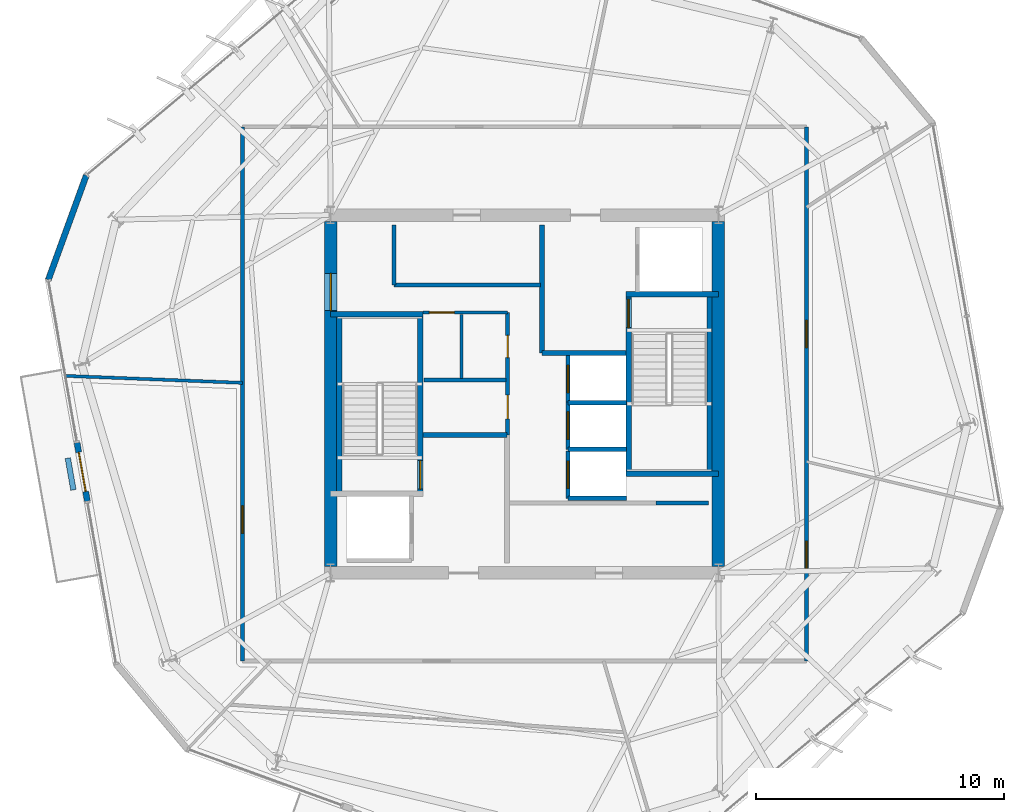
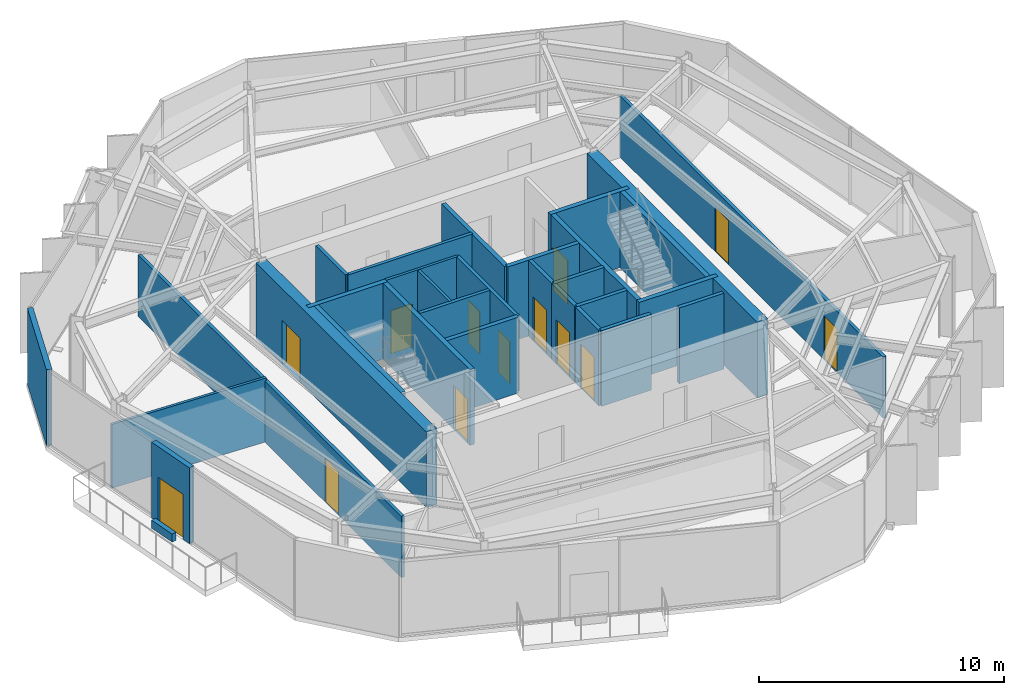
# One storey, part 7 of 11: 31 walls, 13 doors, 13 openings.
"""IFC4 building model written with IfcOpenShell, lengths in metres."""

from ifc_helpers import new_model, si_unit, direction, frame, frame_2d, origin, place, context, subcontext, project, spatial, rectangle, extrude, material, layer, layer_set, type_object, element, fill, save


model = new_model("IFC4")

# Units and contexts
model_context = context("Model", 3, precision=1e-05, world=origin(), true_north=direction((0.0, 1.0)))
body_context = subcontext(model_context, "Body", "Model", "MODEL_VIEW")
ifc_project = project(units=[si_unit("LENGTHUNIT", "METRE"), si_unit("AREAUNIT", "SQUARE_METRE"), si_unit("VOLUMEUNIT", "CUBIC_METRE"), si_unit("PLANEANGLEUNIT", "RADIAN"), si_unit("MASSUNIT", "GRAM", prefix="KILO")], contexts=[model_context])

# Site, building, storey
site_placement = place(None, origin())
site = spatial("IfcSite", under=ifc_project, at=site_placement, CompositionType="ELEMENT")
building_placement = place(site_placement, origin())
building = spatial("IfcBuilding", under=site, at=building_placement, Name="Kranzbogen Civic Tower", CompositionType="ELEMENT")
storey_placement = place(building_placement, frame((0.0, 0.0, 184.800048828125)))
storey = spatial("IfcBuildingStorey", under=building, at=storey_placement, Name="L44", CompositionType="ELEMENT", Elevation=184.800048828125)

# Walls
ifc_material_1 = material(Name="Double-Stud Acoustic Gypsum Partition")
ifc_layer_1 = layer(ifc_material_1, 0.14990234375, Name="Double-Stud Acoustic Gypsum Partition")
ifc_layer_set_1 = layer_set([ifc_layer_1], Name="Double-Stud Acoustic Gypsum Partition")
wall_type_1 = type_object("IfcWallType", Name="Acoustic Corridor and Clinical Partition 150 mm", PredefinedType="PARTITIONING", material=ifc_layer_set_1)
wall_1_placement = place(storey_placement, frame((19.75, 29.389892578125, 0.0), z_axis=(0.0, 0.0, 1.0), x_axis=(1.0, 0.0, 0.0)))
element("IfcWall", 1, at=wall_1_placement, inside=storey, type_object=wall_type_1, Name="L44 digital comms South wall", PredefinedType="PARTITIONING", context=body_context, shape_type="SweptSolid", body=[
    extrude(rectangle(XDim=5.89990234375, YDim=0.14990234375, at=frame_2d((2.949951171875, 0.0))), origin(), (0.0, 0.0, 1.0), 3.780029296875),
])
wall_2_placement = place(storey_placement, frame((19.75, 29.389892578125, 0.0), z_axis=(0.0, 0.0, 1.0), x_axis=(0.0, 1.0, 0.0)))
element("IfcWall", 2, at=wall_2_placement, inside=storey, type_object=wall_type_1, Name="L44 digital comms West wall", PredefinedType="PARTITIONING", context=body_context, shape_type="SweptSolid", body=[
    extrude(rectangle(XDim=2.41015625, YDim=0.14990234375, at=frame_2d((1.205078125, 0.0))), origin(), (0.0, 0.0, 1.0), 3.780029296875),
])

# Wall, openings, doors
wall_3_placement = place(storey_placement, frame((36.35009765625, 35.75, 0.0), z_axis=(0.0, 0.0, 1.0), x_axis=(0.0, -1.0, 0.0)))
wall_3 = element("IfcWall", 3, at=wall_3_placement, inside=storey, type_object=wall_type_1, Name="L44 corridor partition 02", PredefinedType="PARTITIONING", context=body_context, shape_type="SweptSolid", body=[
    extrude(rectangle(XDim=21.5, YDim=0.14990234375, at=frame_2d((10.75, 0.0))), origin(), (0.0, 0.0, 1.0), 3.050048828125),
])
opening_1_placement = place(wall_3_placement, frame((16.672119140625, 0.0, 0.0)))
opening_1 = element("IfcOpeningElement", 4, at=opening_1_placement, cuts=wall_3, Name="Opening D-COR60", PredefinedType="OPENING", context=body_context, shape_type="SweptSolid", body=[
    extrude(rectangle(XDim=1.10009765625, YDim=2.199951171875, at=frame_2d((0.550048828125, 1.10009765625))), frame((0.0, 0.0849609375, 0.0), z_axis=(0.0, -1.0, 0.0), x_axis=(1.0, 0.0, 0.0)), (0.0, 0.0, 1.0), 0.169921875),
])
opening_2_placement = place(wall_3_placement, frame((7.7880859375, 0.0, 0.0)))
opening_2 = element("IfcOpeningElement", 5, at=opening_2_placement, cuts=wall_3, Name="Opening D-COR60", PredefinedType="OPENING", context=body_context, shape_type="SweptSolid", body=[
    extrude(rectangle(XDim=1.10009765625, YDim=2.199951171875, at=frame_2d((0.550048828125, 1.10009765625))), frame((0.0, 0.0849609375, 0.0), z_axis=(0.0, -1.0, 0.0), x_axis=(1.0, 0.0, 0.0)), (0.0, 0.0, 1.0), 0.169921875),
])
ifc_material_2 = material(Name="Oak Timber and Fire Core", Category="wood")
door_type_1 = type_object("IfcDoorType", Name="Corridor Acoustic Fire Door 1100x2200", OperationType="NOTDEFINED", PredefinedType="DOOR", material=ifc_material_2)
door_1_placement = place(opening_1_placement, origin())
door_1 = element("IfcDoor", 6, at=door_1_placement, inside=storey, type_object=door_type_1, Name="L44 Operations Security Control Room door", OperationType="SINGLE_SWING_LEFT", OverallHeight=2.199951171875, OverallWidth=1.10009765625, PredefinedType="DOOR", context=body_context, shape_type="SweptSolid", body=[
    extrude(rectangle(XDim=1.10009765625, YDim=2.199951171875, at=frame_2d((0.550048828125, 1.10009765625))), frame((0.0, 0.02490234375, 0.0), z_axis=(0.0, -1.0, 0.0), x_axis=(1.0, 0.0, 0.0)), (0.0, 0.0, 1.0), 0.050048828125),
])
fill(opening_1, door_1)
door_2_placement = place(opening_2_placement, origin())
door_2 = element("IfcDoor", 7, at=door_2_placement, inside=storey, type_object=door_type_1, Name="L44 Central Mail Post Room door", OperationType="SINGLE_SWING_RIGHT", OverallHeight=2.199951171875, OverallWidth=1.10009765625, PredefinedType="DOOR", context=body_context, shape_type="SweptSolid", body=[
    extrude(rectangle(XDim=1.10009765625, YDim=2.199951171875, at=frame_2d((0.550048828125, 1.10009765625))), frame((0.0, 0.02490234375, 0.0), z_axis=(0.0, -1.0, 0.0), x_axis=(1.0, 0.0, 0.0)), (0.0, 0.0, 1.0), 0.050048828125),
])
fill(opening_2, door_2)

# Wall, opening, door
wall_4_placement = place(storey_placement, frame((13.64990234375, 14.25, 0.0), z_axis=(0.0, 0.0, 1.0), x_axis=(0.0, 1.0, 0.0)))
wall_4 = element("IfcWall", 8, at=wall_4_placement, inside=storey, type_object=wall_type_1, Name="L44 corridor partition 04", PredefinedType="PARTITIONING", context=body_context, shape_type="SweptSolid", body=[
    extrude(rectangle(XDim=21.5, YDim=0.14990234375, at=frame_2d((10.75, 0.0))), origin(), (0.0, 0.0, 1.0), 3.050048828125),
])
opening_3_placement = place(wall_4_placement, frame((5.14501953125, 0.0, 0.0)))
opening_3 = element("IfcOpeningElement", 9, at=opening_3_placement, cuts=wall_4, Name="Opening D-COR60", PredefinedType="OPENING", context=body_context, shape_type="SweptSolid", body=[
    extrude(rectangle(XDim=1.10009765625, YDim=2.199951171875, at=frame_2d((0.550048828125, 1.10009765625))), frame((0.0, 0.0849609375, 0.0), z_axis=(0.0, -1.0, 0.0), x_axis=(1.0, 0.0, 0.0)), (0.0, 0.0, 1.0), 0.169921875),
])
door_3_placement = place(opening_3_placement, origin())
door_3 = element("IfcDoor", 10, at=door_3_placement, inside=storey, type_object=door_type_1, Name="L44 Civic Reference Library door", OperationType="SINGLE_SWING_RIGHT", OverallHeight=2.199951171875, OverallWidth=1.10009765625, PredefinedType="DOOR", context=body_context, shape_type="SweptSolid", body=[
    extrude(rectangle(XDim=1.10009765625, YDim=2.199951171875, at=frame_2d((0.550048828125, 1.10009765625))), frame((0.0, 0.02490234375, 0.0), z_axis=(0.0, -1.0, 0.0), x_axis=(1.0, 0.0, 0.0)), (0.0, 0.0, 1.0), 0.050048828125),
])
fill(opening_3, door_3)

ifc_material_3 = material(Name="Insulated Metal-Stud Gypsum Partition")
ifc_layer_2 = layer(ifc_material_3, 0.125, Name="Insulated Metal-Stud Gypsum Partition")
ifc_layer_set_2 = layer_set([ifc_layer_2], Name="Insulated Metal-Stud Gypsum Partition")
wall_type_2 = type_object("IfcWallType", Name="Acoustic Inter-Room Partition 125 mm", PredefinedType="PARTITIONING", material=ifc_layer_set_2)
wall_5_placement = place(storey_placement, frame((20.919921875, 28.280029296875, 0.0), z_axis=(0.0, 0.0, 1.0), x_axis=(1.0, 0.0, 0.0)))
wall_5 = element("IfcWall", 11, at=wall_5_placement, inside=storey, type_object=wall_type_2, Name="L44 core auxiliary North wall", PredefinedType="PARTITIONING", context=body_context, shape_type="SweptSolid", body=[
    extrude(rectangle(XDim=3.405029296875, YDim=0.125, at=frame_2d((1.70263671875, 0.0))), origin(), (0.0, 0.0, 1.0), 3.780029296875),
])
opening_4_placement = place(wall_5_placement, frame((0.2548828125, 0.0, 0.0)))
opening_4 = element("IfcOpeningElement", 12, at=opening_4_placement, cuts=wall_5, Name="Opening D-RSR10", PredefinedType="OPENING", context=body_context, shape_type="SweptSolid", body=[
    extrude(rectangle(XDim=1.0, YDim=2.14990234375, at=frame_2d((0.5, 1.074951171875))), frame((0.0, 0.072509765625, 0.0), z_axis=(0.0, -1.0, 0.0), x_axis=(1.0, 0.0, 0.0)), (0.0, 0.0, 1.0), 0.14501953125),
])
door_type_2 = type_object("IfcDoorType", Name="Core Archive and Riser Fire Door 1000x2150", OperationType="NOTDEFINED", PredefinedType="DOOR", material=ifc_material_2)
door_4_placement = place(opening_4_placement, origin())
door_4 = element("IfcDoor", 13, at=door_4_placement, inside=storey, type_object=door_type_2, Name="L44 Telecom and Riser Room door", OperationType="SINGLE_SWING_RIGHT", OverallHeight=2.14990234375, OverallWidth=1.0, PredefinedType="DOOR", context=body_context, shape_type="SweptSolid", body=[
    extrude(rectangle(XDim=1.0, YDim=2.14990234375, at=frame_2d((0.5, 1.074951171875))), frame((0.0, 0.02490234375, 0.0), z_axis=(0.0, -1.0, 0.0), x_axis=(1.0, 0.0, 0.0)), (0.0, 0.0, 1.0), 0.050048828125),
])
fill(opening_4, door_4)

# Walls
wall_6_placement = place(storey_placement, frame((22.4599609375, 25.6201171875, 0.0), z_axis=(0.0, 0.0, 1.0), x_axis=(0.0, 1.0, 0.0)))
element("IfcWall", 14, at=wall_6_placement, inside=storey, type_object=wall_type_2, Name="L44 core auxiliary partition 2", PredefinedType="PARTITIONING", context=body_context, shape_type="SweptSolid", body=[
    extrude(rectangle(XDim=2.579833984375, YDim=0.125, at=frame_2d((1.2900390625, 0.0))), origin(), (0.0, 0.0, 1.0), 3.780029296875),
])
wall_7_placement = place(storey_placement, frame((13.64990234375, 25.447998046875, 0.0), z_axis=(0.0, 0.0, 1.0), x_axis=(-0.999225696488, 0.039344726189, 0.0)))
element("IfcWall", 15, at=wall_7_placement, inside=storey, type_object=wall_type_2, Name="L44 radial room partition 03", PredefinedType="PARTITIONING", context=body_context, shape_type="SweptSolid", body=[
    extrude(rectangle(XDim=7.117431640625, YDim=0.125, at=frame_2d((3.55859375, 0.0))), origin(), (0.0, 0.0, 1.0), 3.179931640625),
])
ifc_material_4 = material(Name="Architectural Precast Terracotta Concrete C40/50", Category="masonry")
ifc_layer_3 = layer(ifc_material_4, 0.219970703125, Name="Architectural Precast Terracotta Concrete C40/50")
ifc_layer_set_3 = layer_set([ifc_layer_3], Name="Architectural Precast Terracotta Concrete C40/50")
wall_type_3 = type_object("IfcWallType", Name="Architectural Tree Planter Kerb Wall 220 mm", PredefinedType="USERDEFINED", material=ifc_layer_set_3)
wall_8_placement = place(storey_placement, frame((6.6220703125, 22.4189453125, 0.0), z_axis=(0.0, 0.0, 1.0), x_axis=(0.173742473276, -0.984791121497, 0.0)))
element("IfcWall", 16, at=wall_8_placement, inside=storey, type_object=wall_type_3, Name="L44 landscaped tree balcony planter L44-ST", ObjectType="PLANTER_WALL", PredefinedType="USERDEFINED", context=body_context, shape_type="SweptSolid", body=[
    extrude(rectangle(XDim=1.2998046875, YDim=0.219970703125, at=frame_2d((0.64990234375, 0.0))), origin(), (0.0, 0.0, 1.0), 0.39990234375),
])

# Wall, opening, door
ifc_material_5 = material(Name="Concrete C45/55", Category="concrete")
ifc_layer_4 = layer(ifc_material_5, 0.5, Name="Concrete C45/55")
ifc_layer_set_4 = layer_set([ifc_layer_4], Name="Concrete C45/55")
wall_type_4 = type_object("IfcWallType", Name="Central Core Shear Wall 500 mm", PredefinedType="SHEAR", material=ifc_layer_set_4)
wall_9_placement = place(storey_placement, frame((17.199951171875, 31.949951171875, 0.0), z_axis=(0.0, 0.0, 1.0), x_axis=(0.0, -1.0, 0.0)))
wall_9 = element("IfcWall", 17, at=wall_9_placement, inside=storey, type_object=wall_type_4, Name="L44 central core West shear wall", PredefinedType="SHEAR", context=body_context, shape_type="SweptSolid", body=[
    extrude(rectangle(XDim=13.89990234375, YDim=0.5, at=frame_2d((6.949951171875, 0.0))), origin(), (0.0, 0.0, 1.0), 3.780029296875),
])
opening_5_placement = place(wall_9_placement, frame((2.10009765625, 0.0, 0.0)))
opening_5 = element("IfcOpeningElement", 18, at=opening_5_placement, cuts=wall_9, Name="Opening D-DBL15", PredefinedType="OPENING", context=body_context, shape_type="SweptSolid", body=[
    extrude(rectangle(XDim=1.5, YDim=2.199951171875, at=frame_2d((0.75, 1.10009765625))), frame((0.0, 0.260009765625, 0.0), z_axis=(0.0, -1.0, 0.0), x_axis=(1.0, 0.0, 0.0)), (0.0, 0.0, 1.0), 0.52001953125),
])
ifc_material_6 = material(Name="Anodised Bronze and Glass", Category="glass")
door_type_3 = type_object("IfcDoorType", Name="Civic Lobby Double Door 1500x2200", OperationType="DOUBLE_DOOR_SINGLE_SWING", PredefinedType="DOOR", material=ifc_material_6)
door_5_placement = place(opening_5_placement, origin())
door_5 = element("IfcDoor", 19, at=door_5_placement, inside=storey, type_object=door_type_3, Name="L44 Central Lift Lobby West concourse door", OperationType="DOUBLE_DOOR_SINGLE_SWING", OverallHeight=2.199951171875, OverallWidth=1.5, PredefinedType="DOOR", context=body_context, shape_type="SweptSolid", body=[
    extrude(rectangle(XDim=1.5, YDim=2.199951171875, at=frame_2d((0.75, 1.10009765625))), frame((0.0, 0.02490234375, 0.0), z_axis=(0.0, -1.0, 0.0), x_axis=(1.0, 0.0, 0.0)), (0.0, 0.0, 1.0), 0.050048828125),
])
fill(opening_5, door_5)

# Wall
wall_10_placement = place(storey_placement, frame((32.800048828125, 18.050048828125, 0.0), z_axis=(0.0, 0.0, 1.0), x_axis=(0.0, 1.0, 0.0)))
element("IfcWall", 20, at=wall_10_placement, inside=storey, type_object=wall_type_4, Name="L44 central core East shear wall", PredefinedType="SHEAR", context=body_context, shape_type="SweptSolid", body=[
    extrude(rectangle(XDim=13.89990234375, YDim=0.5, at=frame_2d((6.949951171875, 0.0))), origin(), (0.0, 0.0, 1.0), 3.780029296875),
])

# Wall, opening, door
ifc_layer_5 = layer(ifc_material_5, 0.219970703125, Name="Concrete C45/55")
ifc_layer_set_5 = layer_set([ifc_layer_5], Name="Concrete C45/55")
wall_type_5 = type_object("IfcWallType", Name="Core Internal Stair Structural Wall 220 mm", PredefinedType="SOLIDWALL", material=ifc_layer_set_5)
wall_11_placement = place(storey_placement, frame((20.81005859375, 20.989990234375, 0.0), z_axis=(0.0, 0.0, 1.0), x_axis=(0.0, 1.0, 0.0)))
wall_11 = element("IfcWall", 21, at=wall_11_placement, inside=storey, type_object=wall_type_5, Name="L44 ST-T1 East structural stair wall", PredefinedType="SOLIDWALL", context=body_context, shape_type="SweptSolid", body=[
    extrude(rectangle(XDim=7.219970703125, YDim=0.219970703125, at=frame_2d((3.60986328125, 0.0))), origin(), (0.0, 0.0, 1.0), 3.780029296875),
])
opening_6_placement = place(wall_11_placement, frame((0.179931640625, 0.0, 0.0)))
opening_6 = element("IfcOpeningElement", 22, at=opening_6_placement, cuts=wall_11, Name="Opening D-ST90", PredefinedType="OPENING", context=body_context, shape_type="SweptSolid", body=[
    extrude(rectangle(XDim=1.14990234375, YDim=2.199951171875, at=frame_2d((0.574951171875, 1.10009765625))), frame((0.0, 0.1201171875, 0.0), z_axis=(0.0, -1.0, 0.0), x_axis=(1.0, 0.0, 0.0)), (0.0, 0.0, 1.0), 0.239990234375),
])
ifc_material_7 = material(Name="Steel S355", Category="steel")
door_type_4 = type_object("IfcDoorType", Name="Pressurized Stair and Lobby Fire Door 1150x2200", OperationType="NOTDEFINED", PredefinedType="DOOR", material=ifc_material_7)
door_6_placement = place(opening_6_placement, origin())
door_6 = element("IfcDoor", 23, at=door_6_placement, inside=storey, type_object=door_type_4, Name="L44 Stair ST-T1 fire door", OperationType="SINGLE_SWING_LEFT", OverallHeight=2.199951171875, OverallWidth=1.14990234375, PredefinedType="DOOR", context=body_context, shape_type="SweptSolid", body=[
    extrude(rectangle(XDim=1.14990234375, YDim=2.199951171875, at=frame_2d((0.574951171875, 1.10009765625))), frame((0.0, 0.02490234375, 0.0), z_axis=(0.0, -1.0, 0.0), x_axis=(1.0, 0.0, 0.0)), (0.0, 0.0, 1.0), 0.050048828125),
])
fill(opening_6, door_6)

# Walls
wall_12_placement = place(storey_placement, frame((17.199951171875, 28.2099609375, 0.0), z_axis=(0.0, 0.0, 1.0), x_axis=(1.0, 0.0, 0.0)))
element("IfcWall", 24, at=wall_12_placement, inside=storey, type_object=wall_type_5, Name="L44 ST-T1 North structural stair wall", PredefinedType="SOLIDWALL", context=body_context, shape_type="SweptSolid", body=[
    extrude(rectangle(XDim=3.719970703125, YDim=0.219970703125, at=frame_2d((1.85986328125, 0.0))), origin(), (0.0, 0.0, 1.0), 3.780029296875),
])
wall_13_placement = place(storey_placement, frame((17.554931640625, 28.2099609375, 0.0), z_axis=(0.0, 0.0, 1.0), x_axis=(0.0, -1.0, 0.0)))
element("IfcWall", 25, at=wall_13_placement, inside=storey, type_object=wall_type_5, Name="L44 ST-T1 West structural stair wall", PredefinedType="SOLIDWALL", context=body_context, shape_type="SweptSolid", body=[
    extrude(rectangle(XDim=7.219970703125, YDim=0.219970703125, at=frame_2d((3.60986328125, 0.0))), origin(), (0.0, 0.0, 1.0), 3.780029296875),
])

# Wall, opening, door
wall_14_placement = place(storey_placement, frame((29.18994140625, 21.7900390625, 0.0), z_axis=(0.0, 0.0, 1.0), x_axis=(0.0, 1.0, 0.0)))
wall_14 = element("IfcWall", 26, at=wall_14_placement, inside=storey, type_object=wall_type_5, Name="L44 ST-T2 West structural stair wall", PredefinedType="SOLIDWALL", context=body_context, shape_type="SweptSolid", body=[
    extrude(rectangle(XDim=7.219970703125, YDim=0.219970703125, at=frame_2d((3.60986328125, 0.0))), origin(), (0.0, 0.0, 1.0), 3.780029296875),
])
opening_7_placement = place(wall_14_placement, frame((5.8798828125, 0.0, 0.0)))
opening_7 = element("IfcOpeningElement", 27, at=opening_7_placement, cuts=wall_14, Name="Opening D-ST90", PredefinedType="OPENING", context=body_context, shape_type="SweptSolid", body=[
    extrude(rectangle(XDim=1.14990234375, YDim=2.199951171875, at=frame_2d((0.574951171875, 1.10009765625))), frame((0.0, 0.1201171875, 0.0), z_axis=(0.0, -1.0, 0.0), x_axis=(1.0, 0.0, 0.0)), (0.0, 0.0, 1.0), 0.239990234375),
])
door_7_placement = place(opening_7_placement, origin())
door_7 = element("IfcDoor", 28, at=door_7_placement, inside=storey, type_object=door_type_4, Name="L44 Stair ST-T2 fire door", OperationType="SINGLE_SWING_RIGHT", OverallHeight=2.199951171875, OverallWidth=1.14990234375, PredefinedType="DOOR", context=body_context, shape_type="SweptSolid", body=[
    extrude(rectangle(XDim=1.14990234375, YDim=2.199951171875, at=frame_2d((0.574951171875, 1.10009765625))), frame((0.0, 0.02490234375, 0.0), z_axis=(0.0, -1.0, 0.0), x_axis=(1.0, 0.0, 0.0)), (0.0, 0.0, 1.0), 0.050048828125),
])
fill(opening_7, door_7)

# Walls
for number, where, z_axis, x_axis, name in (
    (29, (29.080078125, 21.7900390625, 0.0), (0.0, 0.0, 1.0), (1.0, 0.0, 0.0), "L44 ST-T2 South structural stair wall"),
    (30, (29.080078125, 29.010009765625, 0.0), (0.0, 0.0, 1.0), (1.0, 0.0, 0.0), "L44 ST-T2 North structural stair wall"),
):
    element("IfcWall", number, at=place(storey_placement, frame(where, z_axis=z_axis, x_axis=x_axis)), inside=storey, type_object=wall_type_5, Name=name, PredefinedType="SOLIDWALL", context=body_context, shape_type="SweptSolid", body=[
        extrude(rectangle(XDim=3.719970703125, YDim=0.219970703125, at=frame_2d((1.85986328125, 0.0))), origin(), (0.0, 0.0, 1.0), 3.780029296875),
    ])
wall_15_placement = place(storey_placement, frame((32.445068359375, 29.010009765625, 0.0), z_axis=(0.0, 0.0, 1.0), x_axis=(0.0, -1.0, 0.0)))
element("IfcWall", 31, at=wall_15_placement, inside=storey, type_object=wall_type_5, Name="L44 ST-T2 East structural stair wall", PredefinedType="SOLIDWALL", context=body_context, shape_type="SweptSolid", body=[
    extrude(rectangle(XDim=7.219970703125, YDim=0.219970703125, at=frame_2d((3.60986328125, 0.0))), origin(), (0.0, 0.0, 1.0), 3.780029296875),
])
ifc_material_8 = material(Name="Gypsum Fireboard and Concrete Block", Category="concrete")
ifc_layer_6 = layer(ifc_material_8, 0.199951171875, Name="Gypsum Fireboard and Concrete Block")
ifc_layer_set_6 = layer_set([ifc_layer_6], Name="Gypsum Fireboard and Concrete Block")
wall_type_6 = type_object("IfcWallType", Name="Fire-Rated Exit Passageway and Stair Wall 200 mm", PredefinedType="PARTITIONING", material=ifc_layer_set_6)
wall_16_placement = place(storey_placement, frame((20.919921875, 23.35009765625, 0.0), z_axis=(0.0, 0.0, 1.0), x_axis=(1.0, 0.0, 0.0)))
element("IfcWall", 32, at=wall_16_placement, inside=storey, type_object=wall_type_6, Name="L44 West firefighting lobby North wall", PredefinedType="PARTITIONING", context=body_context, shape_type="SweptSolid", body=[
    extrude(rectangle(XDim=3.380126953125, YDim=0.199951171875, at=frame_2d((1.68994140625, 0.0))), origin(), (0.0, 0.0, 1.0), 3.780029296875),
])
wall_17_placement = place(storey_placement, frame((25.699951171875, 26.64990234375, 0.0), z_axis=(0.0, 0.0, 1.0), x_axis=(0.0, 1.0, 0.0)))
element("IfcWall", 33, at=wall_17_placement, inside=storey, type_object=wall_type_6, Name="L44 East firefighting lobby West wall", PredefinedType="PARTITIONING", context=body_context, shape_type="SweptSolid", body=[
    extrude(rectangle(XDim=5.150146484375, YDim=0.199951171875, at=frame_2d((2.5751953125, 0.0))), origin(), (0.0, 0.0, 1.0), 3.780029296875),
])
wall_18_placement = place(storey_placement, frame((25.699951171875, 26.64990234375, 0.0), z_axis=(0.0, 0.0, 1.0), x_axis=(1.0, 0.0, 0.0)))
element("IfcWall", 34, at=wall_18_placement, inside=storey, type_object=wall_type_6, Name="L44 East firefighting lobby South wall", PredefinedType="PARTITIONING", context=body_context, shape_type="SweptSolid", body=[
    extrude(rectangle(XDim=3.380126953125, YDim=0.199951171875, at=frame_2d((1.68994140625, 0.0))), origin(), (0.0, 0.0, 1.0), 3.780029296875),
])
ifc_material_9 = material(Name="Gypsum Fireboard Shaftliner")
ifc_layer_7 = layer(ifc_material_9, 0.175048828125, Name="Gypsum Fireboard Shaftliner")
ifc_layer_set_7 = layer_set([ifc_layer_7], Name="Gypsum Fireboard Shaftliner")
wall_type_7 = type_object("IfcWallType", Name="Fire-Rated Lift and Service Shaft Wall 175 mm", PredefinedType="PARTITIONING", material=ifc_layer_set_7)
wall_19_placement = place(storey_placement, frame((30.300048828125, 20.610107421875, 0.0), z_axis=(0.0, 0.0, 1.0), x_axis=(1.0, 0.0, 0.0)))
element("IfcWall", 35, at=wall_19_placement, inside=storey, type_object=wall_type_7, Name="L44 merged archive North wall", PredefinedType="PARTITIONING", context=body_context, shape_type="SweptSolid", body=[
    extrude(rectangle(XDim=2.099853515625, YDim=0.175048828125, at=frame_2d((1.0498046875, 0.0))), origin(), (0.0, 0.0, 1.0), 3.780029296875),
])

# Wall, opening, door
wall_20_placement = place(storey_placement, frame((26.75, 20.800048828125, 0.0), z_axis=(0.0, 0.0, 1.0), x_axis=(0.0, 1.0, 0.0)))
wall_20 = element("IfcWall", 36, at=wall_20_placement, inside=storey, type_object=wall_type_7, Name="L44 lift HP-01 landing wall", PredefinedType="PARTITIONING", context=body_context, shape_type="SweptSolid", body=[
    extrude(rectangle(XDim=1.89990234375, YDim=0.175048828125, at=frame_2d((0.949951171875, 0.0))), origin(), (0.0, 0.0, 1.0), 3.780029296875),
])
opening_8_placement = place(wall_20_placement, frame((0.39990234375, 0.0, 0.0)))
opening_8 = element("IfcOpeningElement", 37, at=opening_8_placement, cuts=wall_20, Name="Opening LD-HP-01", PredefinedType="OPENING", context=body_context, shape_type="SweptSolid", body=[
    extrude(rectangle(XDim=1.10009765625, YDim=2.199951171875, at=frame_2d((0.550048828125, 1.10009765625))), frame((0.0, 0.09765625, 0.0), z_axis=(0.0, -1.0, 0.0), x_axis=(1.0, 0.0, 0.0)), (0.0, 0.0, 1.0), 0.195068359375),
])
ifc_material_10 = material(Name="Pale Anodised Aluminium", Category="aluminium")
door_type_5 = type_object("IfcDoorType", Name="Passenger Lift Sliding Landing Door 1100x2200", OperationType="DOUBLE_DOOR_SLIDING", PredefinedType="DOOR", material=ifc_material_10)
door_8_placement = place(opening_8_placement, origin())
door_8 = element("IfcDoor", 38, at=door_8_placement, inside=storey, type_object=door_type_5, Name="L44 lift HP-01 sliding landing door", OperationType="DOUBLE_DOOR_SLIDING", OverallHeight=2.199951171875, OverallWidth=1.10009765625, PredefinedType="DOOR", context=body_context, shape_type="SweptSolid", body=[
    extrude(rectangle(XDim=1.10009765625, YDim=2.199951171875, at=frame_2d((0.550048828125, 1.10009765625))), frame((0.0, 0.02490234375, 0.0), z_axis=(0.0, -1.0, 0.0), x_axis=(1.0, 0.0, 0.0)), (0.0, 0.0, 1.0), 0.050048828125),
])
fill(opening_8, door_8)

# Wall
wall_21_placement = place(storey_placement, frame((26.75, 20.800048828125, 0.0), z_axis=(0.0, 0.0, 1.0), x_axis=(1.0, 0.0, 0.0)))
element("IfcWall", 39, at=wall_21_placement, inside=storey, type_object=wall_type_7, Name="L44 lift HP-01 side wall", PredefinedType="PARTITIONING", context=body_context, shape_type="SweptSolid", body=[
    extrude(rectangle(XDim=2.35009765625, YDim=0.175048828125, at=frame_2d((1.175048828125, 0.0))), origin(), (0.0, 0.0, 1.0), 3.780029296875),
])

# Wall, opening, door
wall_22_placement = place(storey_placement, frame((26.75, 22.77490234375, 0.0), z_axis=(0.0, 0.0, 1.0), x_axis=(0.0, 1.0, 0.0)))
wall_22 = element("IfcWall", 40, at=wall_22_placement, inside=storey, type_object=wall_type_7, Name="L44 lift HP-02 landing wall", PredefinedType="PARTITIONING", context=body_context, shape_type="SweptSolid", body=[
    extrude(rectangle(XDim=1.900146484375, YDim=0.175048828125, at=frame_2d((0.9501953125, 0.0))), origin(), (0.0, 0.0, 1.0), 3.780029296875),
])
opening_9_placement = place(wall_22_placement, frame((0.39990234375, 0.0, 0.0)))
opening_9 = element("IfcOpeningElement", 41, at=opening_9_placement, cuts=wall_22, Name="Opening LD-HP-02", PredefinedType="OPENING", context=body_context, shape_type="SweptSolid", body=[
    extrude(rectangle(XDim=1.10009765625, YDim=2.199951171875, at=frame_2d((0.550048828125, 1.10009765625))), frame((0.0, 0.09765625, 0.0), z_axis=(0.0, -1.0, 0.0), x_axis=(1.0, 0.0, 0.0)), (0.0, 0.0, 1.0), 0.195068359375),
])
door_9_placement = place(opening_9_placement, origin())
door_9 = element("IfcDoor", 42, at=door_9_placement, inside=storey, type_object=door_type_5, Name="L44 lift HP-02 sliding landing door", OperationType="DOUBLE_DOOR_SLIDING", OverallHeight=2.199951171875, OverallWidth=1.10009765625, PredefinedType="DOOR", context=body_context, shape_type="SweptSolid", body=[
    extrude(rectangle(XDim=1.10009765625, YDim=2.199951171875, at=frame_2d((0.550048828125, 1.10009765625))), frame((0.0, 0.02490234375, 0.0), z_axis=(0.0, -1.0, 0.0), x_axis=(1.0, 0.0, 0.0)), (0.0, 0.0, 1.0), 0.050048828125),
])
fill(opening_9, door_9)

# Wall
wall_23_placement = place(storey_placement, frame((26.75, 22.77490234375, 0.0), z_axis=(0.0, 0.0, 1.0), x_axis=(1.0, 0.0, 0.0)))
element("IfcWall", 43, at=wall_23_placement, inside=storey, type_object=wall_type_7, Name="L44 lift HP-02 side wall", PredefinedType="PARTITIONING", context=body_context, shape_type="SweptSolid", body=[
    extrude(rectangle(XDim=2.35009765625, YDim=0.175048828125, at=frame_2d((1.175048828125, 0.0))), origin(), (0.0, 0.0, 1.0), 3.780029296875),
])

# Wall, opening, door
wall_24_placement = place(storey_placement, frame((26.75, 24.64990234375, 0.0), z_axis=(0.0, 0.0, 1.0), x_axis=(0.0, 1.0, 0.0)))
wall_24 = element("IfcWall", 44, at=wall_24_placement, inside=storey, type_object=wall_type_7, Name="L44 lift HP-03 landing wall", PredefinedType="PARTITIONING", context=body_context, shape_type="SweptSolid", body=[
    extrude(rectangle(XDim=1.900146484375, YDim=0.175048828125, at=frame_2d((0.9501953125, 0.0))), origin(), (0.0, 0.0, 1.0), 3.780029296875),
])
opening_10_placement = place(wall_24_placement, frame((0.39990234375, 0.0, 0.0)))
opening_10 = element("IfcOpeningElement", 45, at=opening_10_placement, cuts=wall_24, Name="Opening LD-HP-03", PredefinedType="OPENING", context=body_context, shape_type="SweptSolid", body=[
    extrude(rectangle(XDim=1.10009765625, YDim=2.199951171875, at=frame_2d((0.550048828125, 1.10009765625))), frame((0.0, 0.09765625, 0.0), z_axis=(0.0, -1.0, 0.0), x_axis=(1.0, 0.0, 0.0)), (0.0, 0.0, 1.0), 0.195068359375),
])
door_10_placement = place(opening_10_placement, origin())
door_10 = element("IfcDoor", 46, at=door_10_placement, inside=storey, type_object=door_type_5, Name="L44 lift HP-03 sliding landing door", OperationType="DOUBLE_DOOR_SLIDING", OverallHeight=2.199951171875, OverallWidth=1.10009765625, PredefinedType="DOOR", context=body_context, shape_type="SweptSolid", body=[
    extrude(rectangle(XDim=1.10009765625, YDim=2.199951171875, at=frame_2d((0.550048828125, 1.10009765625))), frame((0.0, 0.02490234375, 0.0), z_axis=(0.0, -1.0, 0.0), x_axis=(1.0, 0.0, 0.0)), (0.0, 0.0, 1.0), 0.050048828125),
])
fill(opening_10, door_10)

# Walls
wall_25_placement = place(storey_placement, frame((26.75, 24.64990234375, 0.0), z_axis=(0.0, 0.0, 1.0), x_axis=(1.0, 0.0, 0.0)))
element("IfcWall", 47, at=wall_25_placement, inside=storey, type_object=wall_type_7, Name="L44 lift HP-03 side wall", PredefinedType="PARTITIONING", context=body_context, shape_type="SweptSolid", body=[
    extrude(rectangle(XDim=2.35009765625, YDim=0.175048828125, at=frame_2d((1.175048828125, 0.0))), origin(), (0.0, 0.0, 1.0), 3.780029296875),
])
ifc_layer_8 = layer(ifc_material_10, 0.239990234375, Name="Pale Anodised Aluminium")
ifc_layer_set_8 = layer_set([ifc_layer_8], Name="Pale Anodised Aluminium")
wall_type_8 = type_object("IfcWallType", Name="Insulated Aluminium Facade Portal Wall 240 mm", PredefinedType="STANDARD", material=ifc_layer_set_8)
wall_26_placement = place(storey_placement, frame((7.366943359375, 33.7958984375, 0.0), z_axis=(0.0, 0.0, 1.0), x_axis=(-0.341857099862, -0.939751947736, 0.0)))
element("IfcWall", 48, at=wall_26_placement, inside=storey, type_object=wall_type_8, Name="L44 chamfered corner facade spandrel 2", PredefinedType="STANDARD", context=body_context, shape_type="SweptSolid", body=[
    extrude(rectangle(XDim=4.46923828125, YDim=0.239990234375, at=frame_2d((2.234619140625, 0.0))), origin(), (0.0, 0.0, 1.0), 3.780029296875),
])

# Wall, opening, door
wall_27_placement = place(storey_placement, frame((6.993896484375, 23.0439453125, 0.0), z_axis=(0.0, 0.0, 1.0), x_axis=(0.173709908848, -0.984796866145, 0.0)))
wall_27 = element("IfcWall", 49, at=wall_27_placement, inside=storey, type_object=wall_type_8, Name="L44 exterior entrance portal wall 1", PredefinedType="STANDARD", context=body_context, shape_type="SweptSolid", body=[
    extrude(rectangle(XDim=2.400390625, YDim=0.239990234375, at=frame_2d((1.2001953125, 0.0))), origin(), (0.0, 0.0, 1.0), 3.780029296875),
])
opening_11_placement = place(wall_27_placement, frame((0.39990234375, 0.0, 0.0)))
opening_11 = element("IfcOpeningElement", 50, at=opening_11_placement, cuts=wall_27, Name="Opening D-TER", PredefinedType="OPENING", context=body_context, shape_type="SweptSolid", body=[
    extrude(rectangle(XDim=1.60009765625, YDim=2.25, at=frame_2d((0.800048828125, 1.125))), frame((0.0, 0.1298828125, 0.0), z_axis=(0.0, -1.0, 0.0), x_axis=(1.0, 0.0, 0.0)), (0.0, 0.0, 1.0), 0.260009765625),
])
ifc_material_11 = material(Name="Anodised Bronze and Triple Glass", Category="glass")
door_type_6 = type_object("IfcDoorType", Name="Glazed Terrace and Balcony Double Door 1600x2250", OperationType="DOUBLE_DOOR_SINGLE_SWING", PredefinedType="DOOR", material=ifc_material_11)
door_11_placement = place(opening_11_placement, frame((1.60009765625, 0.0, 0.0), z_axis=(0.0, 0.0, 1.0), x_axis=(-1.0, 0.0, 0.0)))
door_11 = element("IfcDoor", 51, at=door_11_placement, inside=storey, type_object=door_type_6, Name="L44 spiral terrace access door L44-ST", OperationType="DOUBLE_DOOR_SINGLE_SWING", OverallHeight=2.25, OverallWidth=1.60009765625, PredefinedType="DOOR", context=body_context, shape_type="SweptSolid", body=[
    extrude(rectangle(XDim=1.60009765625, YDim=2.25, at=frame_2d((0.800048828125, 1.125))), frame((0.0, 0.02490234375, 0.0), z_axis=(0.0, -1.0, 0.0), x_axis=(1.0, 0.0, 0.0)), (0.0, 0.0, 1.0), 0.050048828125),
])
fill(opening_11, door_11)

# Wall, openings, doors
ifc_material_12 = material(Name="Moisture-Resistant Gypsum Assembly")
ifc_layer_9 = layer(ifc_material_12, 0.159912109375, Name="Moisture-Resistant Gypsum Assembly")
ifc_layer_set_9 = layer_set([ifc_layer_9], Name="Moisture-Resistant Gypsum Assembly")
wall_type_9 = type_object("IfcWallType", Name="Sanitary and Plumbing Wet Wall 160 mm", PredefinedType="PLUMBINGWALL", material=ifc_layer_set_9)
wall_28_placement = place(storey_placement, frame((24.324951171875, 23.35009765625, 0.0), z_axis=(0.0, 0.0, 1.0), x_axis=(0.0, 1.0, 0.0)))
wall_28 = element("IfcWall", 52, at=wall_28_placement, inside=storey, type_object=wall_type_9, Name="L44 core auxiliary East wall", PredefinedType="PLUMBINGWALL", context=body_context, shape_type="SweptSolid", body=[
    extrude(rectangle(XDim=4.929931640625, YDim=0.159912109375, at=frame_2d((2.46484375, 0.0))), origin(), (0.0, 0.0, 1.0), 3.780029296875),
])
opening_12_placement = place(wall_28_placement, frame((0.64990234375, 0.0, 0.0)))
opening_12 = element("IfcOpeningElement", 53, at=opening_12_placement, cuts=wall_28, Name="Opening D-AWC95", PredefinedType="OPENING", context=body_context, shape_type="SweptSolid", body=[
    extrude(rectangle(XDim=0.949951171875, YDim=2.10009765625, at=frame_2d((0.47509765625, 1.050048828125))), frame((0.0, 0.08984375, 0.0), z_axis=(0.0, -1.0, 0.0), x_axis=(1.0, 0.0, 0.0)), (0.0, 0.0, 1.0), 0.179931640625),
])
opening_13_placement = place(wall_28_placement, frame((3.110107421875, 0.0, 0.0)))
opening_13 = element("IfcOpeningElement", 54, at=opening_13_placement, cuts=wall_28, Name="Opening D-WC90", PredefinedType="OPENING", context=body_context, shape_type="SweptSolid", body=[
    extrude(rectangle(XDim=0.89990234375, YDim=2.10009765625, at=frame_2d((0.449951171875, 1.050048828125))), frame((0.0, 0.08984375, 0.0), z_axis=(0.0, -1.0, 0.0), x_axis=(1.0, 0.0, 0.0)), (0.0, 0.0, 1.0), 0.179931640625),
])
ifc_material_13 = material(Name="Moisture-Resistant Laminate")
door_type_7 = type_object("IfcDoorType", Name="Accessible Restroom Door 950x2100", OperationType="NOTDEFINED", PredefinedType="DOOR", material=ifc_material_13)
door_12_placement = place(opening_12_placement, origin())
door_12 = element("IfcDoor", 55, at=door_12_placement, inside=storey, type_object=door_type_7, Name="L44 Accessible Restroom door", OperationType="SINGLE_SWING_LEFT", OverallHeight=2.10009765625, OverallWidth=0.949951171875, PredefinedType="DOOR", context=body_context, shape_type="SweptSolid", body=[
    extrude(rectangle(XDim=0.949951171875, YDim=2.10009765625, at=frame_2d((0.47509765625, 1.050048828125))), frame((0.0, 0.02490234375, 0.0), z_axis=(0.0, -1.0, 0.0), x_axis=(1.0, 0.0, 0.0)), (0.0, 0.0, 1.0), 0.050048828125),
])
fill(opening_12, door_12)
door_type_8 = type_object("IfcDoorType", Name="Standard Restroom and Store Door 900x2100", OperationType="NOTDEFINED", PredefinedType="DOOR", material=ifc_material_13)
door_13_placement = place(opening_13_placement, origin())
door_13 = element("IfcDoor", 56, at=door_13_placement, inside=storey, type_object=door_type_8, Name="L44 Staff Restroom door", OperationType="SINGLE_SWING_LEFT", OverallHeight=2.10009765625, OverallWidth=0.89990234375, PredefinedType="DOOR", context=body_context, shape_type="SweptSolid", body=[
    extrude(rectangle(XDim=0.89990234375, YDim=2.10009765625, at=frame_2d((0.449951171875, 1.050048828125))), frame((0.0, 0.02490234375, 0.0), z_axis=(0.0, -1.0, 0.0), x_axis=(1.0, 0.0, 0.0)), (0.0, 0.0, 1.0), 0.050048828125),
])
fill(opening_13, door_13)

# Wall
wall_29_placement = place(storey_placement, frame((20.949951171875, 25.56005859375, 0.0), z_axis=(0.0, 0.0, 1.0), x_axis=(1.0, 0.0, 0.0)))
element("IfcWall", 57, at=wall_29_placement, inside=storey, type_object=wall_type_9, Name="L44 core auxiliary partition 1", PredefinedType="PLUMBINGWALL", context=body_context, shape_type="SweptSolid", body=[
    extrude(rectangle(XDim=3.300048828125, YDim=0.159912109375, at=frame_2d((1.64990234375, 0.0))), origin(), (0.0, 0.0, 1.0), 3.780029296875),
])

save(model, "model.ifc")
